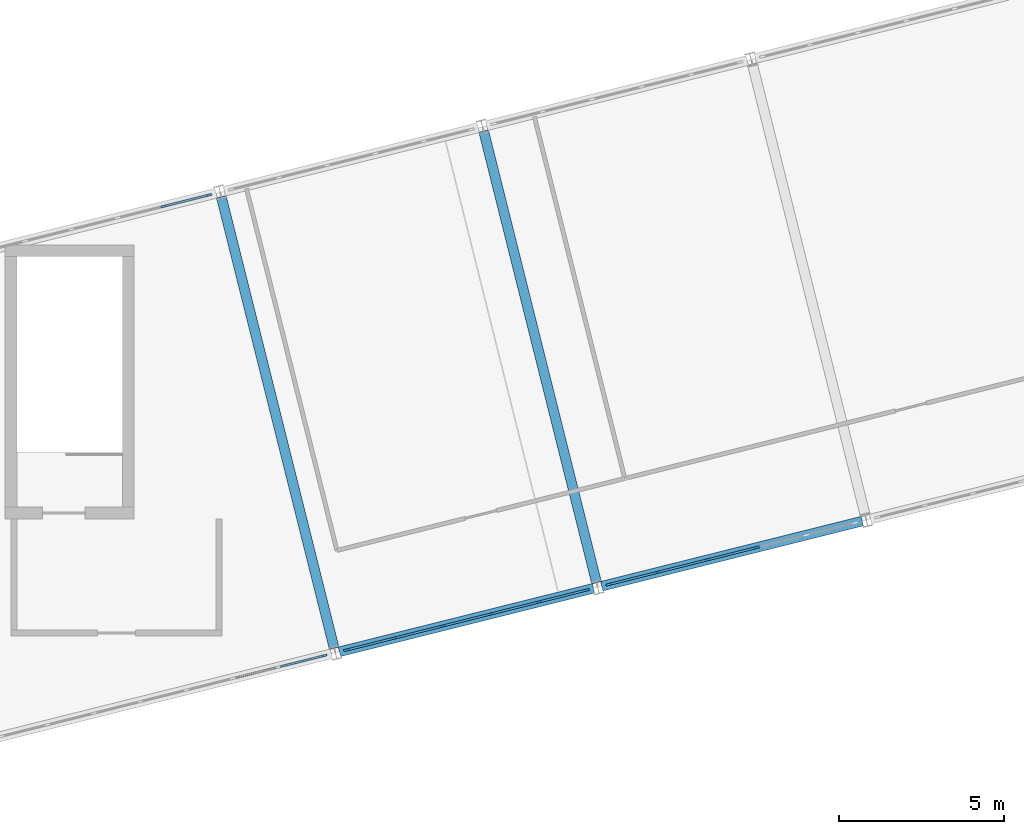
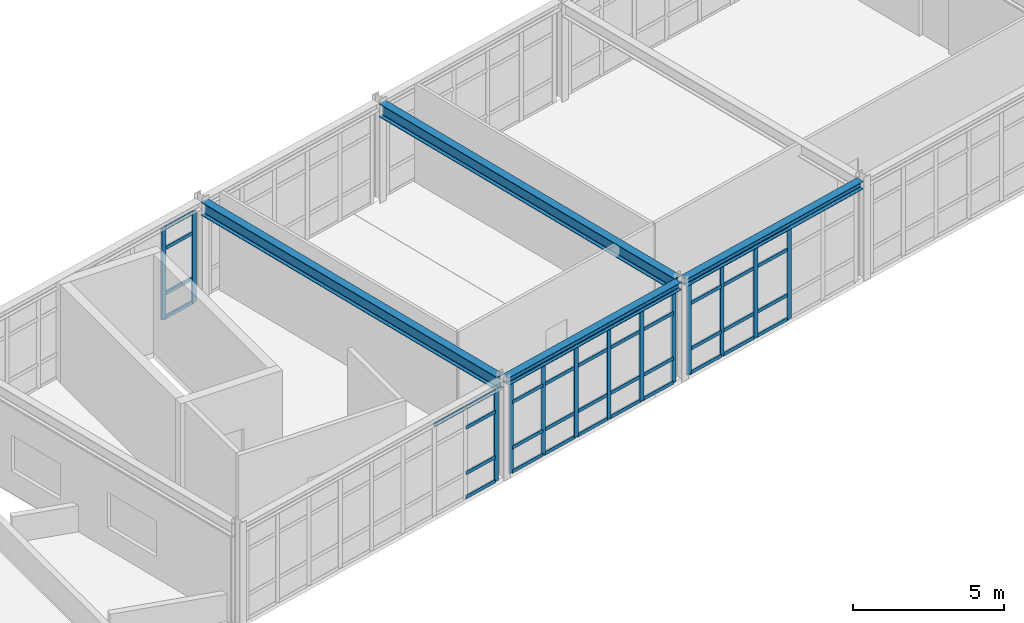
# One storey, part 15 of 64: 54 members, 4 beams, 4 elements without a shape of their own.
"""IFC4 building model written with IfcOpenShell, lengths in metres."""

from ifc_helpers import new_model, si_unit, direction, frame, origin, origin_2d, place, context, subcontext, project, spatial, rectangle, i_section, extrude, material, layer, layer_set, material_profile, profile_set, type_object, element, aggregate, save


model = new_model("IFC4")

# Units and contexts
model_context = context("Model", 3, precision=1e-05, world=origin(), true_north=direction((0.0, 1.0)))
body_context = subcontext(model_context, "Body", "Model", "MODEL_VIEW")
ifc_project = project(units=[si_unit("LENGTHUNIT", "METRE"), si_unit("AREAUNIT", "SQUARE_METRE"), si_unit("VOLUMEUNIT", "CUBIC_METRE"), si_unit("PLANEANGLEUNIT", "RADIAN"), si_unit("MASSUNIT", "GRAM", prefix="KILO")], contexts=[model_context])

# Site, building, storey
site_placement = place(None, origin())
site = spatial("IfcSite", under=ifc_project, at=site_placement, CompositionType="ELEMENT")
building_placement = place(site_placement, origin())
building = spatial("IfcBuilding", under=site, at=building_placement, Name="Nordkorset Police Headquarters", CompositionType="ELEMENT")
storey_placement = place(building_placement, frame((0.0, 0.0, 17.85009765625)))
storey = spatial("IfcBuildingStorey", under=building, at=storey_placement, Name="L04", CompositionType="ELEMENT", Elevation=17.85009765625)

# Curtain wall, member
ifc_material_1 = material(Name="Aluminium alloy AW-6060", Category="aluminium")
ifc_layer_1 = layer(ifc_material_1, 0.179931640625, Name="Aluminium alloy AW-6060")
ifc_layer_set_1 = layer_set([ifc_layer_1], Name="Aluminium alloy AW-6060")
curtain_wall_type_1 = type_object("IfcCurtainWallType", Name="CW_Unit_1156x369", PredefinedType="USERDEFINED", material=ifc_layer_set_1)
curtain_wall_1_placement = place(storey_placement, origin())
curtain_wall_1 = element("IfcCurtainWall", 1, at=curtain_wall_1_placement, inside=storey, type_object=curtain_wall_type_1, Name="Unitised Curtain Wall L04 V4S-0", ObjectType="UNITISED CURTAIN WALL", PredefinedType="USERDEFINED")
ifc_material_2 = material(Name="Aluminium alloy AW-6060", Category="aluminium")
ifc_material_profile_1 = material_profile(ifc_material_2, rectangle(XDim=0.06494140625, YDim=0.179931640625, at=origin_2d()), Name="ALU MULL 65x180")
ifc_profile_set_1 = profile_set([ifc_material_profile_1], Name="Aluminium alloy AW-6060")
member_type_1 = type_object("IfcMemberType", Name="CW_Mullion_65x180", PredefinedType="MULLION", material=ifc_profile_set_1)
member_1_placement = place(storey_placement, frame((35.09375, 44.87353515625, 0.0), z_axis=(0.0, 0.0, 1.0), x_axis=(-0.242535625038, 0.970142500145, 0.0)))
member_1 = element("IfcMember", 2, at=member_1_placement, type_object=member_type_1, Name="CW-06 mullion 9", PredefinedType="MULLION", context=body_context, shape_type="SweptSolid", body=[
    extrude(rectangle(XDim=0.06494140625, YDim=0.179931640625, at=origin_2d()), origin(), (0.0, 0.0, 1.0), 3.69091796875),
])

# Curtain wall, members
curtain_wall_2_placement = place(storey_placement, origin())
curtain_wall_2 = element("IfcCurtainWall", 3, at=curtain_wall_2_placement, inside=storey, type_object=curtain_wall_type_1, Name="Unitised Curtain Wall L04 V4N-0", ObjectType="UNITISED CURTAIN WALL", PredefinedType="USERDEFINED")
member_2_placement = place(storey_placement, frame((30.23095703125, 58.5009765625, 0.0), z_axis=(0.0, 0.0, 1.0), x_axis=(-0.242536235663, 0.970142347489, 0.0)))
member_2 = element("IfcMember", 4, at=member_2_placement, type_object=member_type_1, Name="CW-06 mullion 8", PredefinedType="MULLION", context=body_context, shape_type="SweptSolid", body=[
    extrude(rectangle(XDim=0.06494140625, YDim=0.179931640625, at=origin_2d()), origin(), (0.0, 0.0, 1.0), 3.69091796875),
])
member_3_placement = place(storey_placement, frame((31.601318359375, 58.843505859375, 0.0), z_axis=(0.0, 0.0, 1.0), x_axis=(-0.242536235663, 0.970142347489, 0.0)))
member_3 = element("IfcMember", 5, at=member_3_placement, type_object=member_type_1, Name="CW-06 mullion 9", PredefinedType="MULLION", context=body_context, shape_type="SweptSolid", body=[
    extrude(rectangle(XDim=0.06494140625, YDim=0.179931640625, at=origin_2d()), origin(), (0.0, 0.0, 1.0), 3.69091796875),
])

ifc_material_3 = material(Name="Aluminium alloy AW-6060", Category="aluminium")
ifc_layer_2 = layer(ifc_material_3, 0.179931640625, Name="Aluminium alloy AW-6060")
ifc_layer_set_2 = layer_set([ifc_layer_2], Name="Aluminium alloy AW-6060")
curtain_wall_type_2 = type_object("IfcCurtainWallType", Name="CW_Unit_756x369", PredefinedType="USERDEFINED", material=ifc_layer_set_2)
curtain_wall_3_placement = place(storey_placement, origin())
curtain_wall_3 = element("IfcCurtainWall", 6, at=curtain_wall_3_placement, inside=storey, type_object=curtain_wall_type_2, Name="Unitised Curtain Wall L04 V4S-1", ObjectType="UNITISED CURTAIN WALL", PredefinedType="USERDEFINED")
member_4_placement = place(storey_placement, frame((35.777587890625, 45.04443359375, 0.0), z_axis=(0.0, 0.0, 1.0), x_axis=(-0.242535625038, 0.970142500145, 0.0)))
member_4 = element("IfcMember", 7, at=member_4_placement, type_object=member_type_1, Name="CW-90 mullion 1", PredefinedType="MULLION", context=body_context, shape_type="SweptSolid", body=[
    extrude(rectangle(XDim=0.06494140625, YDim=0.179931640625, at=origin_2d()), origin(), (0.0, 0.0, 1.0), 3.69091796875),
])
member_5_placement = place(storey_placement, frame((37.213134765625, 45.4033203125, 0.0), z_axis=(0.0, 0.0, 1.0), x_axis=(-0.242535625038, 0.970142500145, 0.0)))
member_5 = element("IfcMember", 8, at=member_5_placement, type_object=member_type_1, Name="CW-90 mullion 2", PredefinedType="MULLION", context=body_context, shape_type="SweptSolid", body=[
    extrude(rectangle(XDim=0.06494140625, YDim=0.179931640625, at=origin_2d()), origin(), (0.0, 0.0, 1.0), 3.69091796875),
])
member_6_placement = place(storey_placement, frame((38.679931640625, 45.77001953125, 0.0), z_axis=(0.0, 0.0, 1.0), x_axis=(-0.242535625038, 0.970142500145, 0.0)))
member_6 = element("IfcMember", 9, at=member_6_placement, type_object=member_type_1, Name="CW-90 mullion 3", PredefinedType="MULLION", context=body_context, shape_type="SweptSolid", body=[
    extrude(rectangle(XDim=0.06494140625, YDim=0.179931640625, at=origin_2d()), origin(), (0.0, 0.0, 1.0), 3.69091796875),
])
member_7_placement = place(storey_placement, frame((40.146728515625, 46.13671875, 0.0), z_axis=(0.0, 0.0, 1.0), x_axis=(-0.242535625038, 0.970142500145, 0.0)))
member_7 = element("IfcMember", 10, at=member_7_placement, type_object=member_type_1, Name="CW-90 mullion 4", PredefinedType="MULLION", context=body_context, shape_type="SweptSolid", body=[
    extrude(rectangle(XDim=0.06494140625, YDim=0.179931640625, at=origin_2d()), origin(), (0.0, 0.0, 1.0), 3.69091796875),
])
member_8_placement = place(storey_placement, frame((41.613525390625, 46.50341796875, 0.0), z_axis=(0.0, 0.0, 1.0), x_axis=(-0.242535625038, 0.970142500145, 0.0)))
member_8 = element("IfcMember", 11, at=member_8_placement, type_object=member_type_1, Name="CW-90 mullion 5", PredefinedType="MULLION", context=body_context, shape_type="SweptSolid", body=[
    extrude(rectangle(XDim=0.06494140625, YDim=0.179931640625, at=origin_2d()), origin(), (0.0, 0.0, 1.0), 3.69091796875),
])
member_9_placement = place(storey_placement, frame((43.048828125, 46.8623046875, 0.0), z_axis=(0.0, 0.0, 1.0), x_axis=(-0.242535625038, 0.970142500145, 0.0)))
member_9 = element("IfcMember", 12, at=member_9_placement, type_object=member_type_1, Name="CW-90 mullion 6", PredefinedType="MULLION", context=body_context, shape_type="SweptSolid", body=[
    extrude(rectangle(XDim=0.06494140625, YDim=0.179931640625, at=origin_2d()), origin(), (0.0, 0.0, 1.0), 3.69091796875),
])

ifc_material_4 = material(Name="Aluminium alloy AW-6060", Category="aluminium")
ifc_layer_3 = layer(ifc_material_4, 0.179931640625, Name="Aluminium alloy AW-6060")
ifc_layer_set_3 = layer_set([ifc_layer_3], Name="Aluminium alloy AW-6060")
curtain_wall_type_3 = type_object("IfcCurtainWallType", Name="CW_Unit_776x369", PredefinedType="USERDEFINED", material=ifc_layer_set_3)
curtain_wall_4_placement = place(storey_placement, origin())
curtain_wall_4 = element("IfcCurtainWall", 13, at=curtain_wall_4_placement, inside=storey, type_object=curtain_wall_type_3, Name="Unitised Curtain Wall L04 V4S-2", ObjectType="UNITISED CURTAIN WALL", PredefinedType="USERDEFINED")
member_10_placement = place(storey_placement, frame((43.73291015625, 47.033203125, 0.0), z_axis=(0.0, 0.0, 1.0), x_axis=(-0.24253471539, 0.970142727556, 0.0)))
member_10 = element("IfcMember", 14, at=member_10_placement, type_object=member_type_1, Name="CW-21 mullion 1", PredefinedType="MULLION", context=body_context, shape_type="SweptSolid", body=[
    extrude(rectangle(XDim=0.06494140625, YDim=0.179931640625, at=origin_2d()), origin(), (0.0, 0.0, 1.0), 3.69091796875),
])
member_11_placement = place(storey_placement, frame((45.20703125, 47.40185546875, 0.0), z_axis=(0.0, 0.0, 1.0), x_axis=(-0.24253471539, 0.970142727556, 0.0)))
member_11 = element("IfcMember", 15, at=member_11_placement, type_object=member_type_1, Name="CW-21 mullion 2", PredefinedType="MULLION", context=body_context, shape_type="SweptSolid", body=[
    extrude(rectangle(XDim=0.06494140625, YDim=0.179931640625, at=origin_2d()), origin(), (0.0, 0.0, 1.0), 3.69091796875),
])
member_12_placement = place(storey_placement, frame((46.712646484375, 47.778076171875, 0.0), z_axis=(0.0, 0.0, 1.0), x_axis=(-0.24253471539, 0.970142727556, 0.0)))
member_12 = element("IfcMember", 16, at=member_12_placement, type_object=member_type_1, Name="CW-21 mullion 3", PredefinedType="MULLION", context=body_context, shape_type="SweptSolid", body=[
    extrude(rectangle(XDim=0.06494140625, YDim=0.179931640625, at=origin_2d()), origin(), (0.0, 0.0, 1.0), 3.69091796875),
])
member_13_placement = place(storey_placement, frame((48.21826171875, 48.154541015625, 0.0), z_axis=(0.0, 0.0, 1.0), x_axis=(-0.24253471539, 0.970142727556, 0.0)))
member_13 = element("IfcMember", 17, at=member_13_placement, type_object=member_type_1, Name="CW-21 mullion 4", PredefinedType="MULLION", context=body_context, shape_type="SweptSolid", body=[
    extrude(rectangle(XDim=0.06494140625, YDim=0.179931640625, at=origin_2d()), origin(), (0.0, 0.0, 1.0), 3.69091796875),
])

# Member
ifc_material_5 = material(Name="Aluminium alloy AW-6060", Category="aluminium")
ifc_material_profile_2 = material_profile(ifc_material_5, rectangle(XDim=0.06494140625, YDim=0.139892578125, at=origin_2d()), Name="ALU TRAN 65x140")
ifc_profile_set_2 = profile_set([ifc_material_profile_2], Name="Aluminium alloy AW-6060")
member_type_2 = type_object("IfcMemberType", Name="CW_Transom_65x140", PredefinedType="USERDEFINED", material=ifc_profile_set_2)
member_14_placement = place(storey_placement, frame((32.35302734375, 44.188232421875, 3.658447265625), z_axis=(0.970142500145, 0.242535625036, 0.0), x_axis=(-0.242535625036, 0.970142500145, 0.0)))
member_14 = element("IfcMember", 18, at=member_14_placement, type_object=member_type_2, Name="CW-06 transom 7.4", ObjectType="TRANSOM", PredefinedType="USERDEFINED", context=body_context, shape_type="SweptSolid", body=[
    extrude(rectangle(XDim=0.06494140625, YDim=0.139892578125, at=origin_2d()), origin(), (0.0, 0.0, 1.0), 1.380126953125),
])

member_15_placement = place(storey_placement, frame((33.7548828125, 44.538818359375, 0.032470703125), z_axis=(0.970174463193, 0.242407737022, 0.0), x_axis=(-0.242407737022, 0.970174463193, 0.0)))
member_15 = element("IfcMember", 19, at=member_15_placement, type_object=member_type_2, Name="CW-06 transom 8.1", ObjectType="TRANSOM", PredefinedType="USERDEFINED", context=body_context, shape_type="SweptSolid", body=[
    extrude(rectangle(XDim=0.06494140625, YDim=0.139892578125, at=origin_2d()), origin(), (0.0, 0.0, 1.0), 1.34765625),
])

member_16_placement = place(storey_placement, frame((33.7548828125, 44.538818359375, 1.0), z_axis=(0.970174463193, 0.242407737022, 0.0), x_axis=(-0.242407737022, 0.970174463193, 0.0)))
member_16 = element("IfcMember", 20, at=member_16_placement, type_object=member_type_2, Name="CW-06 transom 8.2", ObjectType="TRANSOM", PredefinedType="USERDEFINED", context=body_context, shape_type="SweptSolid", body=[
    extrude(rectangle(XDim=0.06494140625, YDim=0.139892578125, at=origin_2d()), origin(), (0.0, 0.0, 1.0), 1.34765625),
])

member_17_placement = place(storey_placement, frame((33.7548828125, 44.538818359375, 2.8408203125), z_axis=(0.970174463193, 0.242407737022, 0.0), x_axis=(-0.242407737022, 0.970174463193, 0.0)))
member_17 = element("IfcMember", 21, at=member_17_placement, type_object=member_type_2, Name="CW-06 transom 8.3", ObjectType="TRANSOM", PredefinedType="USERDEFINED", context=body_context, shape_type="SweptSolid", body=[
    extrude(rectangle(XDim=0.06494140625, YDim=0.139892578125, at=origin_2d()), origin(), (0.0, 0.0, 1.0), 1.34765625),
])

member_18_placement = place(storey_placement, frame((33.7548828125, 44.538818359375, 3.658447265625), z_axis=(0.970174463193, 0.242407737022, 0.0), x_axis=(-0.242407737022, 0.970174463193, 0.0)))
member_18 = element("IfcMember", 22, at=member_18_placement, type_object=member_type_2, Name="CW-06 transom 8.4", ObjectType="TRANSOM", PredefinedType="USERDEFINED", context=body_context, shape_type="SweptSolid", body=[
    extrude(rectangle(XDim=0.06494140625, YDim=0.139892578125, at=origin_2d()), origin(), (0.0, 0.0, 1.0), 1.34765625),
])

aggregate(curtain_wall_1, [member_1, member_14, member_15, member_16, member_17, member_18])

member_19_placement = place(storey_placement, frame((30.262451171875, 58.5087890625, 0.032470703125), z_axis=(0.970131842518, 0.242578251565, 0.0), x_axis=(-0.242578251565, 0.970131842518, 0.0)))
member_19 = element("IfcMember", 23, at=member_19_placement, type_object=member_type_2, Name="CW-06 transom 8.1", ObjectType="TRANSOM", PredefinedType="USERDEFINED", context=body_context, shape_type="SweptSolid", body=[
    extrude(rectangle(XDim=0.06494140625, YDim=0.139892578125, at=origin_2d()), origin(), (0.0, 0.0, 1.0), 1.34765625),
])

member_20_placement = place(storey_placement, frame((30.262451171875, 58.5087890625, 1.0), z_axis=(0.970131842518, 0.242578251565, 0.0), x_axis=(-0.242578251565, 0.970131842518, 0.0)))
member_20 = element("IfcMember", 24, at=member_20_placement, type_object=member_type_2, Name="CW-06 transom 8.2", ObjectType="TRANSOM", PredefinedType="USERDEFINED", context=body_context, shape_type="SweptSolid", body=[
    extrude(rectangle(XDim=0.06494140625, YDim=0.139892578125, at=origin_2d()), origin(), (0.0, 0.0, 1.0), 1.34765625),
])

member_21_placement = place(storey_placement, frame((30.262451171875, 58.5087890625, 2.8408203125), z_axis=(0.970131842518, 0.242578251565, 0.0), x_axis=(-0.242578251565, 0.970131842518, 0.0)))
member_21 = element("IfcMember", 25, at=member_21_placement, type_object=member_type_2, Name="CW-06 transom 8.3", ObjectType="TRANSOM", PredefinedType="USERDEFINED", context=body_context, shape_type="SweptSolid", body=[
    extrude(rectangle(XDim=0.06494140625, YDim=0.139892578125, at=origin_2d()), origin(), (0.0, 0.0, 1.0), 1.34765625),
])

member_22_placement = place(storey_placement, frame((30.262451171875, 58.5087890625, 3.658447265625), z_axis=(0.970131842518, 0.242578251565, 0.0), x_axis=(-0.242578251565, 0.970131842518, 0.0)))
member_22 = element("IfcMember", 26, at=member_22_placement, type_object=member_type_2, Name="CW-06 transom 8.4", ObjectType="TRANSOM", PredefinedType="USERDEFINED", context=body_context, shape_type="SweptSolid", body=[
    extrude(rectangle(XDim=0.06494140625, YDim=0.139892578125, at=origin_2d()), origin(), (0.0, 0.0, 1.0), 1.34765625),
])

aggregate(curtain_wall_2, [member_2, member_3, member_19, member_20, member_21, member_22])

member_23_placement = place(storey_placement, frame((35.809326171875, 45.05224609375, 0.032470703125), z_axis=(0.970142500145, 0.242535625036, 0.0), x_axis=(-0.242535625036, 0.970142500145, 0.0)))
member_23 = element("IfcMember", 27, at=member_23_placement, type_object=member_type_2, Name="CW-90 transom 1.1", ObjectType="TRANSOM", PredefinedType="USERDEFINED", context=body_context, shape_type="SweptSolid", body=[
    extrude(rectangle(XDim=0.06494140625, YDim=0.139892578125, at=origin_2d()), origin(), (0.0, 0.0, 1.0), 1.414306640625),
])

member_24_placement = place(storey_placement, frame((35.809326171875, 45.05224609375, 1.0), z_axis=(0.970142500145, 0.242535625036, 0.0), x_axis=(-0.242535625036, 0.970142500145, 0.0)))
member_24 = element("IfcMember", 28, at=member_24_placement, type_object=member_type_2, Name="CW-90 transom 1.2", ObjectType="TRANSOM", PredefinedType="USERDEFINED", context=body_context, shape_type="SweptSolid", body=[
    extrude(rectangle(XDim=0.06494140625, YDim=0.139892578125, at=origin_2d()), origin(), (0.0, 0.0, 1.0), 1.414306640625),
])

member_25_placement = place(storey_placement, frame((35.809326171875, 45.05224609375, 2.8408203125), z_axis=(0.970142500145, 0.242535625036, 0.0), x_axis=(-0.242535625036, 0.970142500145, 0.0)))
member_25 = element("IfcMember", 29, at=member_25_placement, type_object=member_type_2, Name="CW-90 transom 1.3", ObjectType="TRANSOM", PredefinedType="USERDEFINED", context=body_context, shape_type="SweptSolid", body=[
    extrude(rectangle(XDim=0.06494140625, YDim=0.139892578125, at=origin_2d()), origin(), (0.0, 0.0, 1.0), 1.414306640625),
])

member_26_placement = place(storey_placement, frame((35.809326171875, 45.05224609375, 3.658447265625), z_axis=(0.970142500145, 0.242535625036, 0.0), x_axis=(-0.242535625036, 0.970142500145, 0.0)))
member_26 = element("IfcMember", 30, at=member_26_placement, type_object=member_type_2, Name="CW-90 transom 1.4", ObjectType="TRANSOM", PredefinedType="USERDEFINED", context=body_context, shape_type="SweptSolid", body=[
    extrude(rectangle(XDim=0.06494140625, YDim=0.139892578125, at=origin_2d()), origin(), (0.0, 0.0, 1.0), 1.414306640625),
])

member_27_placement = place(storey_placement, frame((37.24462890625, 45.4111328125, 0.032470703125), z_axis=(0.97012264784, 0.242615020451, 0.0), x_axis=(-0.242615020451, 0.97012264784, 0.0)))
member_27 = element("IfcMember", 31, at=member_27_placement, type_object=member_type_2, Name="CW-90 transom 2.1", ObjectType="TRANSOM", PredefinedType="USERDEFINED", context=body_context, shape_type="SweptSolid", body=[
    extrude(rectangle(XDim=0.06494140625, YDim=0.139892578125, at=origin_2d()), origin(), (0.0, 0.0, 1.0), 1.447021484375),
])

member_28_placement = place(storey_placement, frame((37.24462890625, 45.4111328125, 1.0), z_axis=(0.97012264784, 0.242615020451, 0.0), x_axis=(-0.242615020451, 0.97012264784, 0.0)))
member_28 = element("IfcMember", 32, at=member_28_placement, type_object=member_type_2, Name="CW-90 transom 2.2", ObjectType="TRANSOM", PredefinedType="USERDEFINED", context=body_context, shape_type="SweptSolid", body=[
    extrude(rectangle(XDim=0.06494140625, YDim=0.139892578125, at=origin_2d()), origin(), (0.0, 0.0, 1.0), 1.447021484375),
])

member_29_placement = place(storey_placement, frame((37.24462890625, 45.4111328125, 2.8408203125), z_axis=(0.97012264784, 0.242615020451, 0.0), x_axis=(-0.242615020451, 0.97012264784, 0.0)))
member_29 = element("IfcMember", 33, at=member_29_placement, type_object=member_type_2, Name="CW-90 transom 2.3", ObjectType="TRANSOM", PredefinedType="USERDEFINED", context=body_context, shape_type="SweptSolid", body=[
    extrude(rectangle(XDim=0.06494140625, YDim=0.139892578125, at=origin_2d()), origin(), (0.0, 0.0, 1.0), 1.447021484375),
])

member_30_placement = place(storey_placement, frame((37.24462890625, 45.4111328125, 3.658447265625), z_axis=(0.97012264784, 0.242615020451, 0.0), x_axis=(-0.242615020451, 0.97012264784, 0.0)))
member_30 = element("IfcMember", 34, at=member_30_placement, type_object=member_type_2, Name="CW-90 transom 2.4", ObjectType="TRANSOM", PredefinedType="USERDEFINED", context=body_context, shape_type="SweptSolid", body=[
    extrude(rectangle(XDim=0.06494140625, YDim=0.139892578125, at=origin_2d()), origin(), (0.0, 0.0, 1.0), 1.447021484375),
])

member_31_placement = place(storey_placement, frame((38.71142578125, 45.77783203125, 0.032470703125), z_axis=(0.97012264784, 0.242615020451, 0.0), x_axis=(-0.242615020451, 0.97012264784, 0.0)))
member_31 = element("IfcMember", 35, at=member_31_placement, type_object=member_type_2, Name="CW-90 transom 3.1", ObjectType="TRANSOM", PredefinedType="USERDEFINED", context=body_context, shape_type="SweptSolid", body=[
    extrude(rectangle(XDim=0.06494140625, YDim=0.139892578125, at=origin_2d()), origin(), (0.0, 0.0, 1.0), 1.447021484375),
])

member_32_placement = place(storey_placement, frame((38.71142578125, 45.77783203125, 1.0), z_axis=(0.97012264784, 0.242615020451, 0.0), x_axis=(-0.242615020451, 0.97012264784, 0.0)))
member_32 = element("IfcMember", 36, at=member_32_placement, type_object=member_type_2, Name="CW-90 transom 3.2", ObjectType="TRANSOM", PredefinedType="USERDEFINED", context=body_context, shape_type="SweptSolid", body=[
    extrude(rectangle(XDim=0.06494140625, YDim=0.139892578125, at=origin_2d()), origin(), (0.0, 0.0, 1.0), 1.447021484375),
])

member_33_placement = place(storey_placement, frame((38.71142578125, 45.77783203125, 2.8408203125), z_axis=(0.97012264784, 0.242615020451, 0.0), x_axis=(-0.242615020451, 0.97012264784, 0.0)))
member_33 = element("IfcMember", 37, at=member_33_placement, type_object=member_type_2, Name="CW-90 transom 3.3", ObjectType="TRANSOM", PredefinedType="USERDEFINED", context=body_context, shape_type="SweptSolid", body=[
    extrude(rectangle(XDim=0.06494140625, YDim=0.139892578125, at=origin_2d()), origin(), (0.0, 0.0, 1.0), 1.447021484375),
])

member_34_placement = place(storey_placement, frame((38.71142578125, 45.77783203125, 3.658447265625), z_axis=(0.97012264784, 0.242615020451, 0.0), x_axis=(-0.242615020451, 0.97012264784, 0.0)))
member_34 = element("IfcMember", 38, at=member_34_placement, type_object=member_type_2, Name="CW-90 transom 3.4", ObjectType="TRANSOM", PredefinedType="USERDEFINED", context=body_context, shape_type="SweptSolid", body=[
    extrude(rectangle(XDim=0.06494140625, YDim=0.139892578125, at=origin_2d()), origin(), (0.0, 0.0, 1.0), 1.447021484375),
])

member_35_placement = place(storey_placement, frame((40.17822265625, 46.14453125, 0.032470703125), z_axis=(0.97012264784, 0.242615020451, 0.0), x_axis=(-0.242615020451, 0.97012264784, 0.0)))
member_35 = element("IfcMember", 39, at=member_35_placement, type_object=member_type_2, Name="CW-90 transom 4.1", ObjectType="TRANSOM", PredefinedType="USERDEFINED", context=body_context, shape_type="SweptSolid", body=[
    extrude(rectangle(XDim=0.06494140625, YDim=0.139892578125, at=origin_2d()), origin(), (0.0, 0.0, 1.0), 1.447021484375),
])

member_36_placement = place(storey_placement, frame((40.17822265625, 46.14453125, 1.0), z_axis=(0.97012264784, 0.242615020451, 0.0), x_axis=(-0.242615020451, 0.97012264784, 0.0)))
member_36 = element("IfcMember", 40, at=member_36_placement, type_object=member_type_2, Name="CW-90 transom 4.2", ObjectType="TRANSOM", PredefinedType="USERDEFINED", context=body_context, shape_type="SweptSolid", body=[
    extrude(rectangle(XDim=0.06494140625, YDim=0.139892578125, at=origin_2d()), origin(), (0.0, 0.0, 1.0), 1.447021484375),
])

member_37_placement = place(storey_placement, frame((40.17822265625, 46.14453125, 2.8408203125), z_axis=(0.97012264784, 0.242615020451, 0.0), x_axis=(-0.242615020451, 0.97012264784, 0.0)))
member_37 = element("IfcMember", 41, at=member_37_placement, type_object=member_type_2, Name="CW-90 transom 4.3", ObjectType="TRANSOM", PredefinedType="USERDEFINED", context=body_context, shape_type="SweptSolid", body=[
    extrude(rectangle(XDim=0.06494140625, YDim=0.139892578125, at=origin_2d()), origin(), (0.0, 0.0, 1.0), 1.447021484375),
])

member_38_placement = place(storey_placement, frame((40.17822265625, 46.14453125, 3.658447265625), z_axis=(0.97012264784, 0.242615020451, 0.0), x_axis=(-0.242615020451, 0.97012264784, 0.0)))
member_38 = element("IfcMember", 42, at=member_38_placement, type_object=member_type_2, Name="CW-90 transom 4.4", ObjectType="TRANSOM", PredefinedType="USERDEFINED", context=body_context, shape_type="SweptSolid", body=[
    extrude(rectangle(XDim=0.06494140625, YDim=0.139892578125, at=origin_2d()), origin(), (0.0, 0.0, 1.0), 1.447021484375),
])

member_39_placement = place(storey_placement, frame((41.64501953125, 46.51123046875, 0.032470703125), z_axis=(0.970152651902, 0.242495014396, 0.0), x_axis=(-0.242495014396, 0.970152651902, 0.0)))
member_39 = element("IfcMember", 43, at=member_39_placement, type_object=member_type_2, Name="CW-90 transom 5.1", ObjectType="TRANSOM", PredefinedType="USERDEFINED", context=body_context, shape_type="SweptSolid", body=[
    extrude(rectangle(XDim=0.06494140625, YDim=0.139892578125, at=origin_2d()), origin(), (0.0, 0.0, 1.0), 1.41455078125),
])

member_40_placement = place(storey_placement, frame((41.64501953125, 46.51123046875, 1.0), z_axis=(0.970152651902, 0.242495014396, 0.0), x_axis=(-0.242495014396, 0.970152651902, 0.0)))
member_40 = element("IfcMember", 44, at=member_40_placement, type_object=member_type_2, Name="CW-90 transom 5.2", ObjectType="TRANSOM", PredefinedType="USERDEFINED", context=body_context, shape_type="SweptSolid", body=[
    extrude(rectangle(XDim=0.06494140625, YDim=0.139892578125, at=origin_2d()), origin(), (0.0, 0.0, 1.0), 1.41455078125),
])

member_41_placement = place(storey_placement, frame((41.64501953125, 46.51123046875, 2.8408203125), z_axis=(0.970152651902, 0.242495014396, 0.0), x_axis=(-0.242495014396, 0.970152651902, 0.0)))
member_41 = element("IfcMember", 45, at=member_41_placement, type_object=member_type_2, Name="CW-90 transom 5.3", ObjectType="TRANSOM", PredefinedType="USERDEFINED", context=body_context, shape_type="SweptSolid", body=[
    extrude(rectangle(XDim=0.06494140625, YDim=0.139892578125, at=origin_2d()), origin(), (0.0, 0.0, 1.0), 1.41455078125),
])

member_42_placement = place(storey_placement, frame((41.64501953125, 46.51123046875, 3.658447265625), z_axis=(0.970152651902, 0.242495014396, 0.0), x_axis=(-0.242495014396, 0.970152651902, 0.0)))
member_42 = element("IfcMember", 46, at=member_42_placement, type_object=member_type_2, Name="CW-90 transom 5.4", ObjectType="TRANSOM", PredefinedType="USERDEFINED", context=body_context, shape_type="SweptSolid", body=[
    extrude(rectangle(XDim=0.06494140625, YDim=0.139892578125, at=origin_2d()), origin(), (0.0, 0.0, 1.0), 1.41455078125),
])

aggregate(curtain_wall_3, [member_4, member_5, member_6, member_7, member_8, member_9, member_23, member_24, member_25, member_26, member_27, member_28, member_29, member_30, member_31, member_32, member_33, member_34, member_35, member_36, member_37, member_38, member_39, member_40, member_41, member_42])

member_43_placement = place(storey_placement, frame((43.764404296875, 47.041015625, 0.032470703125), z_axis=(0.970142500145, 0.242535625036, 0.0), x_axis=(-0.242535625036, 0.970142500145, 0.0)))
member_43 = element("IfcMember", 47, at=member_43_placement, type_object=member_type_2, Name="CW-21 transom 1.1", ObjectType="TRANSOM", PredefinedType="USERDEFINED", context=body_context, shape_type="SweptSolid", body=[
    extrude(rectangle(XDim=0.06494140625, YDim=0.139892578125, at=origin_2d()), origin(), (0.0, 0.0, 1.0), 1.45458984375),
])

member_44_placement = place(storey_placement, frame((43.764404296875, 47.041015625, 1.0), z_axis=(0.970142500145, 0.242535625036, 0.0), x_axis=(-0.242535625036, 0.970142500145, 0.0)))
member_44 = element("IfcMember", 48, at=member_44_placement, type_object=member_type_2, Name="CW-21 transom 1.2", ObjectType="TRANSOM", PredefinedType="USERDEFINED", context=body_context, shape_type="SweptSolid", body=[
    extrude(rectangle(XDim=0.06494140625, YDim=0.139892578125, at=origin_2d()), origin(), (0.0, 0.0, 1.0), 1.45458984375),
])

member_45_placement = place(storey_placement, frame((43.764404296875, 47.041015625, 2.8408203125), z_axis=(0.970142500145, 0.242535625036, 0.0), x_axis=(-0.242535625036, 0.970142500145, 0.0)))
member_45 = element("IfcMember", 49, at=member_45_placement, type_object=member_type_2, Name="CW-21 transom 1.3", ObjectType="TRANSOM", PredefinedType="USERDEFINED", context=body_context, shape_type="SweptSolid", body=[
    extrude(rectangle(XDim=0.06494140625, YDim=0.139892578125, at=origin_2d()), origin(), (0.0, 0.0, 1.0), 1.45458984375),
])

member_46_placement = place(storey_placement, frame((43.764404296875, 47.041015625, 3.658447265625), z_axis=(0.970142500145, 0.242535625036, 0.0), x_axis=(-0.242535625036, 0.970142500145, 0.0)))
member_46 = element("IfcMember", 50, at=member_46_placement, type_object=member_type_2, Name="CW-21 transom 1.4", ObjectType="TRANSOM", PredefinedType="USERDEFINED", context=body_context, shape_type="SweptSolid", body=[
    extrude(rectangle(XDim=0.06494140625, YDim=0.139892578125, at=origin_2d()), origin(), (0.0, 0.0, 1.0), 1.45458984375),
])

member_47_placement = place(storey_placement, frame((45.238525390625, 47.40966796875, 0.032470703125), z_axis=(0.970152157148, 0.242496993757, 0.0), x_axis=(-0.242496993757, 0.970152157148, 0.0)))
member_47 = element("IfcMember", 51, at=member_47_placement, type_object=member_type_2, Name="CW-21 transom 2.1", ObjectType="TRANSOM", PredefinedType="USERDEFINED", context=body_context, shape_type="SweptSolid", body=[
    extrude(rectangle(XDim=0.06494140625, YDim=0.139892578125, at=origin_2d()), origin(), (0.0, 0.0, 1.0), 1.487060546875),
])

member_48_placement = place(storey_placement, frame((45.238525390625, 47.40966796875, 1.0), z_axis=(0.970152157148, 0.242496993757, 0.0), x_axis=(-0.242496993757, 0.970152157148, 0.0)))
member_48 = element("IfcMember", 52, at=member_48_placement, type_object=member_type_2, Name="CW-21 transom 2.2", ObjectType="TRANSOM", PredefinedType="USERDEFINED", context=body_context, shape_type="SweptSolid", body=[
    extrude(rectangle(XDim=0.06494140625, YDim=0.139892578125, at=origin_2d()), origin(), (0.0, 0.0, 1.0), 1.487060546875),
])

member_49_placement = place(storey_placement, frame((45.238525390625, 47.40966796875, 2.8408203125), z_axis=(0.970152157148, 0.242496993757, 0.0), x_axis=(-0.242496993757, 0.970152157148, 0.0)))
member_49 = element("IfcMember", 53, at=member_49_placement, type_object=member_type_2, Name="CW-21 transom 2.3", ObjectType="TRANSOM", PredefinedType="USERDEFINED", context=body_context, shape_type="SweptSolid", body=[
    extrude(rectangle(XDim=0.06494140625, YDim=0.139892578125, at=origin_2d()), origin(), (0.0, 0.0, 1.0), 1.487060546875),
])

member_50_placement = place(storey_placement, frame((45.238525390625, 47.40966796875, 3.658447265625), z_axis=(0.970152157148, 0.242496993757, 0.0), x_axis=(-0.242496993757, 0.970152157148, 0.0)))
member_50 = element("IfcMember", 54, at=member_50_placement, type_object=member_type_2, Name="CW-21 transom 2.4", ObjectType="TRANSOM", PredefinedType="USERDEFINED", context=body_context, shape_type="SweptSolid", body=[
    extrude(rectangle(XDim=0.06494140625, YDim=0.139892578125, at=origin_2d()), origin(), (0.0, 0.0, 1.0), 1.487060546875),
])

member_51_placement = place(storey_placement, frame((46.744140625, 47.7861328125, 0.032470703125), z_axis=(0.970152157148, 0.242496993757, 0.0), x_axis=(-0.242496993757, 0.970152157148, 0.0)))
member_51 = element("IfcMember", 55, at=member_51_placement, type_object=member_type_2, Name="CW-21 transom 3.1", ObjectType="TRANSOM", PredefinedType="USERDEFINED", context=body_context, shape_type="SweptSolid", body=[
    extrude(rectangle(XDim=0.06494140625, YDim=0.139892578125, at=origin_2d()), origin(), (0.0, 0.0, 1.0), 1.487060546875),
])

member_52_placement = place(storey_placement, frame((46.744140625, 47.7861328125, 1.0), z_axis=(0.970152157148, 0.242496993757, 0.0), x_axis=(-0.242496993757, 0.970152157148, 0.0)))
member_52 = element("IfcMember", 56, at=member_52_placement, type_object=member_type_2, Name="CW-21 transom 3.2", ObjectType="TRANSOM", PredefinedType="USERDEFINED", context=body_context, shape_type="SweptSolid", body=[
    extrude(rectangle(XDim=0.06494140625, YDim=0.139892578125, at=origin_2d()), origin(), (0.0, 0.0, 1.0), 1.487060546875),
])

member_53_placement = place(storey_placement, frame((46.744140625, 47.7861328125, 2.8408203125), z_axis=(0.970152157148, 0.242496993757, 0.0), x_axis=(-0.242496993757, 0.970152157148, 0.0)))
member_53 = element("IfcMember", 57, at=member_53_placement, type_object=member_type_2, Name="CW-21 transom 3.3", ObjectType="TRANSOM", PredefinedType="USERDEFINED", context=body_context, shape_type="SweptSolid", body=[
    extrude(rectangle(XDim=0.06494140625, YDim=0.139892578125, at=origin_2d()), origin(), (0.0, 0.0, 1.0), 1.487060546875),
])

member_54_placement = place(storey_placement, frame((46.744140625, 47.7861328125, 3.658447265625), z_axis=(0.970152157148, 0.242496993757, 0.0), x_axis=(-0.242496993757, 0.970152157148, 0.0)))
member_54 = element("IfcMember", 58, at=member_54_placement, type_object=member_type_2, Name="CW-21 transom 3.4", ObjectType="TRANSOM", PredefinedType="USERDEFINED", context=body_context, shape_type="SweptSolid", body=[
    extrude(rectangle(XDim=0.06494140625, YDim=0.139892578125, at=origin_2d()), origin(), (0.0, 0.0, 1.0), 1.487060546875),
])

aggregate(curtain_wall_4, [member_10, member_11, member_12, member_13, member_43, member_44, member_45, member_46, member_47, member_48, member_49, member_50, member_51, member_52, member_53, member_54])

# Beams
ifc_material_6 = material(Name="Steel S355J2", Category="steel")
ifc_material_profile_3 = material_profile(ifc_material_6, i_section(OverallWidth=0.300048828125, OverallDepth=0.5400390625, WebThickness=0.012451171875, FlangeThickness=0.02392578125, FilletRadius=0.027099609375, at=origin_2d()), Name="HEA 550")
ifc_profile_set_3 = profile_set([ifc_material_profile_3], Name="Steel S355J2")
beam_type_1 = type_object("IfcBeamType", Name="Girder_HEA_550", PredefinedType="USERDEFINED", material=ifc_profile_set_3)
for number, where, z_axis, x_axis, name in (
    (59, (35.40185546875, 45.0947265625, 3.7509765625), (-0.24253155672, 0.970143517215, 0.0), (-0.970143517215, -0.24253155672, 0.0), "Splayed Wing Transverse Girder L04 1"),
    (60, (43.35693359375, 47.08349609375, 3.7509765625), (-0.24253155672, 0.970143517215, 0.0), (-0.970143517215, -0.24253155672, 0.0), "Splayed Wing Transverse Girder L04 2"),
):
    element("IfcBeam", number, at=place(storey_placement, frame(where, z_axis=z_axis, x_axis=x_axis)), inside=storey, type_object=beam_type_1, Name=name, ObjectType="GIRDER", PredefinedType="USERDEFINED", context=body_context, shape_type="SweptSolid", body=[
        extrude(i_section(OverallWidth=0.300048828125, OverallDepth=0.5400390625, WebThickness=0.012451171875, FlangeThickness=0.02392578125, FilletRadius=0.027099609375, at=origin_2d()), origin(), (0.0, 0.0, 1.0), 14.1201171875),
    ])
ifc_material_7 = material(Name="Steel S355J2", Category="steel")
ifc_material_profile_4 = material_profile(ifc_material_7, i_section(OverallWidth=0.300048828125, OverallDepth=0.31005859375, WebThickness=0.009033203125, FlangeThickness=0.015380859375, FilletRadius=0.027099609375, at=origin_2d()), Name="HEA 320")
ifc_profile_set_4 = profile_set([ifc_material_profile_4], Name="Steel S355J2")
beam_type_2 = type_object("IfcBeamType", Name="Spandrel_HEA_320", PredefinedType="SPANDREL", material=ifc_profile_set_4)
beam_1_placement = place(storey_placement, frame((35.561767578125, 44.990478515625, 3.865966796875), z_axis=(0.970142500145, 0.242535625036, 0.0), x_axis=(-0.242535625036, 0.970142500145, 0.0)))
element("IfcBeam", 61, at=beam_1_placement, inside=storey, type_object=beam_type_2, Name="Splayed Wing Spandrel L04 1-0", PredefinedType="SPANDREL", context=body_context, shape_type="SweptSolid", body=[
    extrude(i_section(OverallWidth=0.300048828125, OverallDepth=0.31005859375, WebThickness=0.009033203125, FlangeThickness=0.015380859375, FilletRadius=0.027099609375, at=origin_2d()), origin(), (0.0, 0.0, 1.0), 7.940185546875),
])
beam_2_placement = place(storey_placement, frame((43.51708984375, 46.979248046875, 3.865966796875), z_axis=(0.970138971508, 0.242549739151, 0.0), x_axis=(-0.242549739151, 0.970138971508, 0.0)))
element("IfcBeam", 62, at=beam_2_placement, inside=storey, type_object=beam_type_2, Name="Splayed Wing Spandrel L04 2-0", PredefinedType="SPANDREL", context=body_context, shape_type="SweptSolid", body=[
    extrude(i_section(OverallWidth=0.300048828125, OverallDepth=0.31005859375, WebThickness=0.009033203125, FlangeThickness=0.015380859375, FilletRadius=0.027099609375, at=origin_2d()), origin(), (0.0, 0.0, 1.0), 8.14013671875),
])

save(model, "model.ifc")
